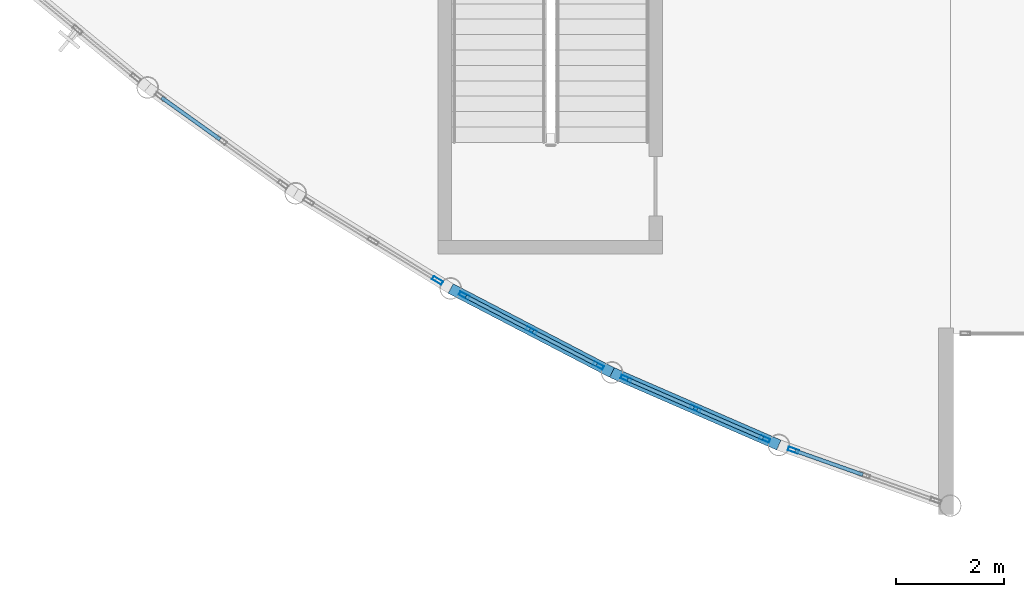
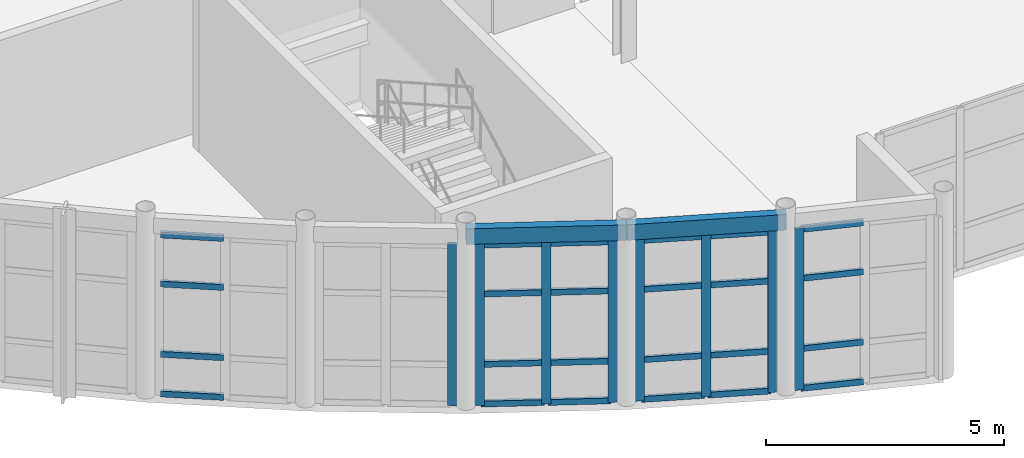
# One storey, part 21 of 116: 32 members, 2 beams, 5 elements without a shape of their own.
"""IFC4 building model written with IfcOpenShell, lengths in metres."""

import ifcopenshell
import ifcopenshell.guid

model = None  # the IFC model being written
_history = None  # IfcOwnerHistory: only IFC2X3 demands one
_inside = {}  # id of a spatial element -> (the spatial element, [elements in it])
_under = {}  # id of a project, library or spatial element -> (it, [spatial elements below it])
_declared = {}  # id of a project -> (the project, [libraries it declares])
_typed = {}  # id of a type object -> (the type object, [elements of that type])
_made_of = {}  # id of a material, layer set ... -> (it, [elements and type objects made of it])


def new_model(schema):
    """Start an empty IFC model of exactly this schema.

    Asked for "IFC4X3", IfcOpenShell would pick the latest addendum, in which some entities
    have other attributes; the version numbers below select the first issue.
    IFC2X3 requires an IfcOwnerHistory on every rooted entity: one is made here for all.
    """
    global model, _history
    if schema == "IFC4X3":
        model = ifcopenshell.file(schema_version=(4, 3, 0, 0))
    else:
        model = ifcopenshell.file(schema=schema)
    _inside.clear()
    _under.clear()
    _declared.clear()
    _typed.clear()
    _made_of.clear()
    _history = None
    if model.schema == "IFC2X3":
        org = make("IfcOrganization", Name="unknown")
        user = make(
            "IfcPersonAndOrganization",
            ThePerson=make("IfcPerson", FamilyName="unknown"),
            TheOrganization=org,
        )
        app = make(
            "IfcApplication",
            ApplicationDeveloper=org,
            Version="unknown",
            ApplicationFullName="unknown",
            ApplicationIdentifier="unknown",
        )
        _history = make(
            "IfcOwnerHistory",
            OwningUser=user,
            OwningApplication=app,
            ChangeAction="ADDED",
            CreationDate=0,
        )
    return model


def make(cls, **values):
    """One entity of the class cls with the attributes given. An attribute that is None is left unset."""
    return model.create_entity(
        cls, **{name: value for name, value in values.items() if value is not None}
    )


def rooted(cls, **values):
    """An entity with a GlobalId (a new one), such as an element, a storey or a relation."""
    return make(cls, GlobalId=ifcopenshell.guid.new(), OwnerHistory=_history, **values)


def si_unit(unit_type, name, prefix=None):
    """IfcSIUnit, for example si_unit("LENGTHUNIT", "METRE", prefix="MILLI")."""
    return make("IfcSIUnit", UnitType=unit_type, Prefix=prefix, Name=name)


def assignment(units):
    """IfcUnitAssignment: the units of a project."""
    return None if units is None else make("IfcUnitAssignment", Units=units)


def point(xyz):
    """IfcCartesianPoint."""
    return None if xyz is None else make("IfcCartesianPoint", Coordinates=xyz)


def direction(xyz):
    """IfcDirection."""
    return None if xyz is None else make("IfcDirection", DirectionRatios=xyz)


def frame(location, z_axis=None, x_axis=None):
    """IfcAxis2Placement3D, a coordinate frame: its origin and axes. An axis left out is left unset."""
    return make(
        "IfcAxis2Placement3D",
        Location=point(location),
        Axis=direction(z_axis),
        RefDirection=direction(x_axis),
    )


def frame_2d(location, x_axis=None):
    """IfcAxis2Placement2D, a coordinate frame in the plane: its origin and x axis."""
    return make(
        "IfcAxis2Placement2D", Location=point(location), RefDirection=direction(x_axis)
    )


def origin():
    """The frame at (0, 0, 0) with its axes left unset."""
    return frame((0.0, 0.0, 0.0))


def origin_2d():
    """The frame at (0, 0) in the plane with its x axis left unset."""
    return frame_2d((0.0, 0.0))


def place(relative_to, where):
    """IfcLocalPlacement: puts the frame where relative to a parent placement (None: the world)."""
    return make(
        "IfcLocalPlacement", PlacementRelTo=relative_to, RelativePlacement=where
    )


def context(
    kind, dimensions, precision=None, world=None, true_north=None, identifier=None
):
    """IfcGeometricRepresentationContext, for example the 3D "Model" context."""
    return make(
        "IfcGeometricRepresentationContext",
        ContextIdentifier=identifier,
        ContextType=kind,
        CoordinateSpaceDimension=dimensions,
        Precision=precision,
        WorldCoordinateSystem=world,
        TrueNorth=true_north,
    )


def subcontext(parent, identifier, kind, view, scale=None):
    """IfcGeometricRepresentationSubContext, for example "Body" below "Model"."""
    return make(
        "IfcGeometricRepresentationSubContext",
        ContextIdentifier=identifier,
        ContextType=kind,
        ParentContext=parent,
        TargetScale=scale,
        TargetView=view,
    )


def project(units=None, contexts=None):
    """IfcProject with its units and contexts."""
    return rooted(
        "IfcProject",
        Name="project",
        RepresentationContexts=contexts,
        UnitsInContext=assignment(units),
    )


def spatial(cls, under=None, at=None, **own):
    """A site, building, storey or space (cls), placed at a placement, below another one or the project."""
    s = rooted(cls, ObjectPlacement=at, **own)
    if under is not None:
        _under.setdefault(under.id(), (under, []))[1].append(s)
    return s


def profile(cls, at=None, kind="AREA", **sizes):
    """A parametric profile (cls). Its sizes go by their IFC names, for example OverallWidth=200.0."""
    return make(cls, ProfileType=kind, Position=at, **sizes)


def hollow_rectangle(**sizes):
    """IfcRectangleHollowProfileDef."""
    return profile("IfcRectangleHollowProfileDef", **sizes)


def extrude(swept, where, along, depth):
    """IfcExtrudedAreaSolid: the profile swept, set in the frame where, extruded along a direction by depth."""
    return make(
        "IfcExtrudedAreaSolid",
        SweptArea=swept,
        Position=where,
        ExtrudedDirection=direction(along),
        Depth=depth,
    )


def shape(context_of_items, identifier, shape_type, items):
    """IfcShapeRepresentation: the items that make up one representation, for example the "Body"."""
    return make(
        "IfcShapeRepresentation",
        ContextOfItems=context_of_items,
        RepresentationIdentifier=identifier,
        RepresentationType=shape_type,
        Items=items,
    )


def material(Name=None, Category=None):
    """IfcMaterial."""
    return make("IfcMaterial", Name=Name, Category=Category)


def layer(
    of_material, thickness, ventilated=None, Name=None, Category=None, Priority=None
):
    """IfcMaterialLayer: one layer of a wall or slab, of a material (None: an air gap)."""
    return make(
        "IfcMaterialLayer",
        Material=of_material,
        LayerThickness=thickness,
        IsVentilated=ventilated,
        Name=Name,
        Category=Category,
        Priority=Priority,
    )


def layer_set(layers, Name=None):
    """IfcMaterialLayerSet."""
    return make("IfcMaterialLayerSet", MaterialLayers=layers, LayerSetName=Name)


def material_profile(
    of_material, cross_section, Name=None, Category=None, Priority=None
):
    """IfcMaterialProfile: a cross section and its material."""
    return make(
        "IfcMaterialProfile",
        Name=Name,
        Material=of_material,
        Profile=cross_section,
        Priority=Priority,
        Category=Category,
    )


def profile_set(profiles, Name=None, composite=None):
    """IfcMaterialProfileSet."""
    return make(
        "IfcMaterialProfileSet",
        Name=Name,
        MaterialProfiles=profiles,
        CompositeProfile=composite,
    )


def made_of(thing, what):
    """Note that an element or type object is made of a material, layer set ...; save() writes the relation."""
    if what is not None:
        _made_of.setdefault(what.id(), (what, []))[1].append(thing)
    return thing


def type_object(cls, material=None, **own):
    """A type object (cls), such as IfcWallType, which elements share."""
    return made_of(rooted(cls, **own), material)


def element(
    cls,
    number,
    at=None,
    inside=None,
    cuts=None,
    type_object=None,
    material=None,
    context=None,
    identifier="Body",
    shape_type=None,
    held_by="IfcProductDefinitionShape",
    body=None,
    shapes=None,
    **own,
):
    """One element of the class cls, such as IfcWall. Its Tag is "e" and its number.

    at: its placement. inside: the storey or other place that contains it. cuts: it is an
    opening in that element (IfcRelVoidsElement). A single representation is given by context,
    identifier, shape_type and body (its items); several are given by shapes. held_by: the class
    of the entity that holds the representations. save() writes the other relations.
    """
    e = rooted(cls, Tag="e%d" % number, ObjectPlacement=at, **own)
    if body is not None:
        shapes = [shape(context, identifier, shape_type, body)]
    if shapes is not None:
        e.Representation = make(held_by, Representations=shapes)
    if inside is not None:
        _inside.setdefault(inside.id(), (inside, []))[1].append(e)
    if cuts is not None:
        rooted(
            "IfcRelVoidsElement", RelatingBuildingElement=cuts, RelatedOpeningElement=e
        )
    if type_object is not None:
        _typed.setdefault(type_object.id(), (type_object, []))[1].append(e)
    return made_of(e, material)


def aggregate(whole, parts):
    """IfcRelAggregates: a whole, such as a stair, and the parts it consists of."""
    return rooted("IfcRelAggregates", RelatingObject=whole, RelatedObjects=parts)


def save(model, path):
    """Write the relations noted so far, then the file.

    IfcRelAggregates (storeys below a building ...), IfcRelContainedInSpatialStructure (elements
    in a storey), IfcRelDefinesByType, IfcRelAssociatesMaterial and IfcRelDeclares: one each for
    every whole, place, type object, material and project.
    """
    for whole, parts in _under.values():
        aggregate(whole, parts)
    for where, things in _inside.values():
        rooted(
            "IfcRelContainedInSpatialStructure",
            RelatedElements=things,
            RelatingStructure=where,
        )
    for kind, things in _typed.values():
        rooted("IfcRelDefinesByType", RelatedObjects=things, RelatingType=kind)
    for what, things in _made_of.values():
        rooted("IfcRelAssociatesMaterial", RelatedObjects=things, RelatingMaterial=what)
    for by, libraries in _declared.values():
        rooted("IfcRelDeclares", RelatingContext=by, RelatedDefinitions=libraries)
    model.write(path)


model = new_model("IFC4")

# Units and contexts
model_context = context("Model", 3, precision=1e-05, world=origin(), true_north=direction((0.0, 1.0)))
body_context = subcontext(model_context, "Body", "Model", "MODEL_VIEW")
ifc_project = project(units=[si_unit("LENGTHUNIT", "METRE"), si_unit("AREAUNIT", "SQUARE_METRE"), si_unit("VOLUMEUNIT", "CUBIC_METRE"), si_unit("PLANEANGLEUNIT", "RADIAN"), si_unit("MASSUNIT", "GRAM", prefix="KILO")], contexts=[model_context])

# Site, building, storey
site_placement = place(None, origin())
site = spatial("IfcSite", under=ifc_project, at=site_placement, CompositionType="ELEMENT")
building_placement = place(site_placement, origin())
building = spatial("IfcBuilding", under=site, at=building_placement, Name="Selat Folded Stagehouse", CompositionType="ELEMENT")
storey_placement = place(building_placement, frame((0.0, 0.0, 5.39990234375)))
storey = spatial("IfcBuildingStorey", under=building, at=storey_placement, Name="L01", CompositionType="ELEMENT", Elevation=5.39990234375)

# Curtain wall, member
ifc_material_1 = material(Name="Aluminium 6063-T6", Category="aluminium")
ifc_layer = layer(ifc_material_1, 0.199951171875)
ifc_layer_set = layer_set([ifc_layer], Name="Aluminium 6063-T6")
curtain_wall_type = type_object("IfcCurtainWallType", Name="CW-DRM-MID", PredefinedType="NOTDEFINED", material=ifc_layer_set)
curtain_wall_1_placement = place(storey_placement, origin())
curtain_wall_1 = element("IfcCurtainWall", 1, at=curtain_wall_1_placement, inside=storey, type_object=curtain_wall_type, Name="L01 curtain wall CW-DRM-L01-16", PredefinedType="NOTDEFINED")
ifc_material_profile_1 = material_profile(ifc_material_1, hollow_rectangle(XDim=0.070068359375, YDim=0.199951171875, WallThickness=0.0048828125, at=origin_2d()), Name="ALU 200x70x5.0")
ifc_profile_set_1 = profile_set([ifc_material_profile_1], Name="Aluminium 6063-T6")
member_type_1 = type_object("IfcMemberType", Name="CWM-MUL-200x70", PredefinedType="MULLION", material=ifc_profile_set_1)
member_1_placement = place(storey_placement, frame((24.102783203125, 6.382080078125, 0.0), z_axis=(0.0, 0.0, 1.0), x_axis=(-0.523025427755, -0.852317078277, 0.0)))
member_1 = element("IfcMember", 2, at=member_1_placement, type_object=member_type_1, Name="CW-02 mullion 1", PredefinedType="MULLION", context=body_context, shape_type="SweptSolid", body=[
    extrude(hollow_rectangle(XDim=0.070068359375, YDim=0.199951171875, WallThickness=0.0048828125, at=origin_2d()), origin(), (0.0, 0.0, 1.0), 4.14013671875),
])
aggregate(curtain_wall_1, [member_1])

# Curtain wall, members
curtain_wall_2_placement = place(storey_placement, origin())
curtain_wall_2 = element("IfcCurtainWall", 3, at=curtain_wall_2_placement, inside=storey, type_object=curtain_wall_type, Name="L01 curtain wall CW-DRM-L01-17", PredefinedType="NOTDEFINED")
member_2_placement = place(storey_placement, frame((27.0810546875, 4.808349609375, 0.0), z_axis=(0.0, 0.0, 1.0), x_axis=(-0.461930991659, -0.886915869147, 0.0)))
member_2 = element("IfcMember", 4, at=member_2_placement, type_object=member_type_1, Name="CW-02 mullion 1", PredefinedType="MULLION", context=body_context, shape_type="SweptSolid", body=[
    extrude(hollow_rectangle(XDim=0.070068359375, YDim=0.199951171875, WallThickness=0.0048828125, at=origin_2d()), origin(), (0.0, 0.0, 1.0), 4.14013671875),
])
member_3_placement = place(storey_placement, frame((25.83984375, 5.454833984375, 0.0), z_axis=(0.0, 0.0, 1.0), x_axis=(-0.461930991659, -0.886915869147, 0.0)))
member_3 = element("IfcMember", 5, at=member_3_placement, type_object=member_type_1, Name="CW-02 mullion 2", PredefinedType="MULLION", context=body_context, shape_type="SweptSolid", body=[
    extrude(hollow_rectangle(XDim=0.070068359375, YDim=0.199951171875, WallThickness=0.0048828125, at=origin_2d()), origin(), (0.0, 0.0, 1.0), 4.14013671875),
])
member_4_placement = place(storey_placement, frame((24.5986328125, 6.101318359375, 0.0), z_axis=(0.0, 0.0, 1.0), x_axis=(-0.461930991659, -0.886915869147, 0.0)))
member_4 = element("IfcMember", 6, at=member_4_placement, type_object=member_type_1, Name="CW-02 mullion 3", PredefinedType="MULLION", context=body_context, shape_type="SweptSolid", body=[
    extrude(hollow_rectangle(XDim=0.070068359375, YDim=0.199951171875, WallThickness=0.0048828125, at=origin_2d()), origin(), (0.0, 0.0, 1.0), 4.14013671875),
])

curtain_wall_3_placement = place(storey_placement, origin())
curtain_wall_3 = element("IfcCurtainWall", 7, at=curtain_wall_3_placement, inside=storey, type_object=curtain_wall_type, Name="L01 curtain wall CW-DRM-L01-18", PredefinedType="NOTDEFINED")
member_5_placement = place(storey_placement, frame((30.162109375, 3.447509765625, 0.0), z_axis=(0.0, 0.0, 1.0), x_axis=(-0.39857953336, -0.917133771915, 0.0)))
member_5 = element("IfcMember", 8, at=member_5_placement, type_object=member_type_1, Name="CW-02 mullion 1", PredefinedType="MULLION", context=body_context, shape_type="SweptSolid", body=[
    extrude(hollow_rectangle(XDim=0.070068359375, YDim=0.199951171875, WallThickness=0.0048828125, at=origin_2d()), origin(), (0.0, 0.0, 1.0), 4.14013671875),
])
member_6_placement = place(storey_placement, frame((28.878662109375, 4.00537109375, 0.0), z_axis=(0.0, 0.0, 1.0), x_axis=(-0.39857953336, -0.917133771915, 0.0)))
member_6 = element("IfcMember", 9, at=member_6_placement, type_object=member_type_1, Name="CW-02 mullion 2", PredefinedType="MULLION", context=body_context, shape_type="SweptSolid", body=[
    extrude(hollow_rectangle(XDim=0.070068359375, YDim=0.199951171875, WallThickness=0.0048828125, at=origin_2d()), origin(), (0.0, 0.0, 1.0), 4.14013671875),
])
member_7_placement = place(storey_placement, frame((27.59521484375, 4.56298828125, 0.0), z_axis=(0.0, 0.0, 1.0), x_axis=(-0.39857953336, -0.917133771915, 0.0)))
member_7 = element("IfcMember", 10, at=member_7_placement, type_object=member_type_1, Name="CW-02 mullion 3", PredefinedType="MULLION", context=body_context, shape_type="SweptSolid", body=[
    extrude(hollow_rectangle(XDim=0.070068359375, YDim=0.199951171875, WallThickness=0.0048828125, at=origin_2d()), origin(), (0.0, 0.0, 1.0), 4.14013671875),
])

# Curtain wall, member
curtain_wall_4_placement = place(storey_placement, origin())
curtain_wall_4 = element("IfcCurtainWall", 11, at=curtain_wall_4_placement, inside=storey, type_object=curtain_wall_type, Name="L01 curtain wall CW-DRM-L01-19", PredefinedType="NOTDEFINED")
member_8_placement = place(storey_placement, frame((30.6923828125, 3.23876953125, 0.0), z_axis=(0.0, 0.0, 1.0), x_axis=(-0.333314148838, -0.942815824106, 0.0)))
member_8 = element("IfcMember", 12, at=member_8_placement, type_object=member_type_1, Name="CW-02 mullion 3", PredefinedType="MULLION", context=body_context, shape_type="SweptSolid", body=[
    extrude(hollow_rectangle(XDim=0.070068359375, YDim=0.199951171875, WallThickness=0.0048828125, at=origin_2d()), origin(), (0.0, 0.0, 1.0), 4.14013671875),
])

# Curtain wall, members
curtain_wall_5_placement = place(storey_placement, origin())
curtain_wall_5 = element("IfcCurtainWall", 13, at=curtain_wall_5_placement, inside=storey, type_object=curtain_wall_type, Name="L01 curtain wall CW-DRM-L01-15", PredefinedType="NOTDEFINED")
ifc_material_profile_2 = material_profile(ifc_material_1, hollow_rectangle(XDim=0.070068359375, YDim=0.14990234375, WallThickness=0.00390625, at=origin_2d()), Name="ALU 150x70x4.0")
ifc_profile_set_2 = profile_set([ifc_material_profile_2], Name="Aluminium 6063-T6")
member_type_2 = type_object("IfcMemberType", Name="CWM-TRN-150x70", PredefinedType="USERDEFINED", material=ifc_profile_set_2)
member_9_placement = place(storey_placement, frame((20.075439453125, 8.9951171875, 0.03515625), z_axis=(-0.813497658202, 0.581568190412, 0.0), x_axis=(-0.581568190412, -0.813497658202, 0.0)))
member_9 = element("IfcMember", 14, at=member_9_placement, type_object=member_type_2, Name="CW-02 transom 2.1", ObjectType="TRANSOM", PredefinedType="USERDEFINED", context=body_context, shape_type="SweptSolid", body=[
    extrude(hollow_rectangle(XDim=0.070068359375, YDim=0.14990234375, WallThickness=0.00390625, at=origin_2d()), origin(), (0.0, 0.0, 1.0), 1.32958984375),
])
member_10_placement = place(storey_placement, frame((20.075439453125, 8.9951171875, 1.050048828125), z_axis=(-0.813497658202, 0.581568190412, 0.0), x_axis=(-0.581568190412, -0.813497658202, 0.0)))
member_10 = element("IfcMember", 15, at=member_10_placement, type_object=member_type_2, Name="CW-02 transom 2.2", ObjectType="TRANSOM", PredefinedType="USERDEFINED", context=body_context, shape_type="SweptSolid", body=[
    extrude(hollow_rectangle(XDim=0.070068359375, YDim=0.14990234375, WallThickness=0.00390625, at=origin_2d()), origin(), (0.0, 0.0, 1.0), 1.32958984375),
])
member_11_placement = place(storey_placement, frame((20.075439453125, 8.9951171875, 2.85009765625), z_axis=(-0.813497658202, 0.581568190412, 0.0), x_axis=(-0.581568190412, -0.813497658202, 0.0)))
member_11 = element("IfcMember", 16, at=member_11_placement, type_object=member_type_2, Name="CW-02 transom 2.3", ObjectType="TRANSOM", PredefinedType="USERDEFINED", context=body_context, shape_type="SweptSolid", body=[
    extrude(hollow_rectangle(XDim=0.070068359375, YDim=0.14990234375, WallThickness=0.00390625, at=origin_2d()), origin(), (0.0, 0.0, 1.0), 1.32958984375),
])
member_12_placement = place(storey_placement, frame((20.075439453125, 8.9951171875, 4.10498046875), z_axis=(-0.813497658202, 0.581568190412, 0.0), x_axis=(-0.581568190412, -0.813497658202, 0.0)))
member_12 = element("IfcMember", 17, at=member_12_placement, type_object=member_type_2, Name="CW-02 transom 2.4", ObjectType="TRANSOM", PredefinedType="USERDEFINED", context=body_context, shape_type="SweptSolid", body=[
    extrude(hollow_rectangle(XDim=0.070068359375, YDim=0.14990234375, WallThickness=0.00390625, at=origin_2d()), origin(), (0.0, 0.0, 1.0), 1.32958984375),
])
aggregate(curtain_wall_5, [member_9, member_10, member_11, member_12])

# Member
member_13_placement = place(storey_placement, frame((27.050048828125, 4.824462890625, 0.03515625), z_axis=(-0.88688587182, 0.461988582505, 0.0), x_axis=(-0.461988582505, -0.88688587182, 0.0)))
member_13 = element("IfcMember", 18, at=member_13_placement, type_object=member_type_2, Name="CW-02 transom 1.1", ObjectType="TRANSOM", PredefinedType="USERDEFINED", context=body_context, shape_type="SweptSolid", body=[
    extrude(hollow_rectangle(XDim=0.070068359375, YDim=0.14990234375, WallThickness=0.00390625, at=origin_2d()), origin(), (0.0, 0.0, 1.0), 1.32958984375),
])

member_14_placement = place(storey_placement, frame((27.050048828125, 4.824462890625, 1.050048828125), z_axis=(-0.88688587182, 0.461988582505, 0.0), x_axis=(-0.461988582505, -0.88688587182, 0.0)))
member_14 = element("IfcMember", 19, at=member_14_placement, type_object=member_type_2, Name="CW-02 transom 1.2", ObjectType="TRANSOM", PredefinedType="USERDEFINED", context=body_context, shape_type="SweptSolid", body=[
    extrude(hollow_rectangle(XDim=0.070068359375, YDim=0.14990234375, WallThickness=0.00390625, at=origin_2d()), origin(), (0.0, 0.0, 1.0), 1.32958984375),
])

member_15_placement = place(storey_placement, frame((27.050048828125, 4.824462890625, 2.85009765625), z_axis=(-0.88688587182, 0.461988582505, 0.0), x_axis=(-0.461988582505, -0.88688587182, 0.0)))
member_15 = element("IfcMember", 20, at=member_15_placement, type_object=member_type_2, Name="CW-02 transom 1.3", ObjectType="TRANSOM", PredefinedType="USERDEFINED", context=body_context, shape_type="SweptSolid", body=[
    extrude(hollow_rectangle(XDim=0.070068359375, YDim=0.14990234375, WallThickness=0.00390625, at=origin_2d()), origin(), (0.0, 0.0, 1.0), 1.32958984375),
])

member_16_placement = place(storey_placement, frame((27.050048828125, 4.824462890625, 4.10498046875), z_axis=(-0.88688587182, 0.461988582505, 0.0), x_axis=(-0.461988582505, -0.88688587182, 0.0)))
member_16 = element("IfcMember", 21, at=member_16_placement, type_object=member_type_2, Name="CW-02 transom 1.4", ObjectType="TRANSOM", PredefinedType="USERDEFINED", context=body_context, shape_type="SweptSolid", body=[
    extrude(hollow_rectangle(XDim=0.070068359375, YDim=0.14990234375, WallThickness=0.00390625, at=origin_2d()), origin(), (0.0, 0.0, 1.0), 1.32958984375),
])

member_17_placement = place(storey_placement, frame((25.808837890625, 5.470947265625, 0.03515625), z_axis=(-0.88688587182, 0.461988582505, 0.0), x_axis=(-0.461988582505, -0.88688587182, 0.0)))
member_17 = element("IfcMember", 22, at=member_17_placement, type_object=member_type_2, Name="CW-02 transom 2.1", ObjectType="TRANSOM", PredefinedType="USERDEFINED", context=body_context, shape_type="SweptSolid", body=[
    extrude(hollow_rectangle(XDim=0.070068359375, YDim=0.14990234375, WallThickness=0.00390625, at=origin_2d()), origin(), (0.0, 0.0, 1.0), 1.32958984375),
])

member_18_placement = place(storey_placement, frame((25.808837890625, 5.470947265625, 1.050048828125), z_axis=(-0.88688587182, 0.461988582505, 0.0), x_axis=(-0.461988582505, -0.88688587182, 0.0)))
member_18 = element("IfcMember", 23, at=member_18_placement, type_object=member_type_2, Name="CW-02 transom 2.2", ObjectType="TRANSOM", PredefinedType="USERDEFINED", context=body_context, shape_type="SweptSolid", body=[
    extrude(hollow_rectangle(XDim=0.070068359375, YDim=0.14990234375, WallThickness=0.00390625, at=origin_2d()), origin(), (0.0, 0.0, 1.0), 1.32958984375),
])

member_19_placement = place(storey_placement, frame((25.808837890625, 5.470947265625, 2.85009765625), z_axis=(-0.88688587182, 0.461988582505, 0.0), x_axis=(-0.461988582505, -0.88688587182, 0.0)))
member_19 = element("IfcMember", 24, at=member_19_placement, type_object=member_type_2, Name="CW-02 transom 2.3", ObjectType="TRANSOM", PredefinedType="USERDEFINED", context=body_context, shape_type="SweptSolid", body=[
    extrude(hollow_rectangle(XDim=0.070068359375, YDim=0.14990234375, WallThickness=0.00390625, at=origin_2d()), origin(), (0.0, 0.0, 1.0), 1.32958984375),
])

member_20_placement = place(storey_placement, frame((25.808837890625, 5.470947265625, 4.10498046875), z_axis=(-0.88688587182, 0.461988582505, 0.0), x_axis=(-0.461988582505, -0.88688587182, 0.0)))
member_20 = element("IfcMember", 25, at=member_20_placement, type_object=member_type_2, Name="CW-02 transom 2.4", ObjectType="TRANSOM", PredefinedType="USERDEFINED", context=body_context, shape_type="SweptSolid", body=[
    extrude(hollow_rectangle(XDim=0.070068359375, YDim=0.14990234375, WallThickness=0.00390625, at=origin_2d()), origin(), (0.0, 0.0, 1.0), 1.32958984375),
])

aggregate(curtain_wall_2, [member_2, member_3, member_4, member_13, member_14, member_15, member_16, member_17, member_18, member_19, member_20])

member_21_placement = place(storey_placement, frame((30.130126953125, 3.46142578125, 0.03515625), z_axis=(-0.917157626449, 0.398524639446, 0.0), x_axis=(-0.398524639446, -0.917157626449, 0.0)))
member_21 = element("IfcMember", 26, at=member_21_placement, type_object=member_type_2, Name="CW-02 transom 1.1", ObjectType="TRANSOM", PredefinedType="USERDEFINED", context=body_context, shape_type="SweptSolid", body=[
    extrude(hollow_rectangle(XDim=0.070068359375, YDim=0.14990234375, WallThickness=0.00390625, at=origin_2d()), origin(), (0.0, 0.0, 1.0), 1.329345703125),
])

member_22_placement = place(storey_placement, frame((30.130126953125, 3.46142578125, 1.050048828125), z_axis=(-0.917157626449, 0.398524639446, 0.0), x_axis=(-0.398524639446, -0.917157626449, 0.0)))
member_22 = element("IfcMember", 27, at=member_22_placement, type_object=member_type_2, Name="CW-02 transom 1.2", ObjectType="TRANSOM", PredefinedType="USERDEFINED", context=body_context, shape_type="SweptSolid", body=[
    extrude(hollow_rectangle(XDim=0.070068359375, YDim=0.14990234375, WallThickness=0.00390625, at=origin_2d()), origin(), (0.0, 0.0, 1.0), 1.329345703125),
])

member_23_placement = place(storey_placement, frame((30.130126953125, 3.46142578125, 2.85009765625), z_axis=(-0.917157626449, 0.398524639446, 0.0), x_axis=(-0.398524639446, -0.917157626449, 0.0)))
member_23 = element("IfcMember", 28, at=member_23_placement, type_object=member_type_2, Name="CW-02 transom 1.3", ObjectType="TRANSOM", PredefinedType="USERDEFINED", context=body_context, shape_type="SweptSolid", body=[
    extrude(hollow_rectangle(XDim=0.070068359375, YDim=0.14990234375, WallThickness=0.00390625, at=origin_2d()), origin(), (0.0, 0.0, 1.0), 1.329345703125),
])

member_24_placement = place(storey_placement, frame((30.130126953125, 3.46142578125, 4.10498046875), z_axis=(-0.917157626449, 0.398524639446, 0.0), x_axis=(-0.398524639446, -0.917157626449, 0.0)))
member_24 = element("IfcMember", 29, at=member_24_placement, type_object=member_type_2, Name="CW-02 transom 1.4", ObjectType="TRANSOM", PredefinedType="USERDEFINED", context=body_context, shape_type="SweptSolid", body=[
    extrude(hollow_rectangle(XDim=0.070068359375, YDim=0.14990234375, WallThickness=0.00390625, at=origin_2d()), origin(), (0.0, 0.0, 1.0), 1.329345703125),
])

member_25_placement = place(storey_placement, frame((28.8466796875, 4.019287109375, 0.03515625), z_axis=(-0.917186787024, 0.398457523092, 0.0), x_axis=(-0.398457523092, -0.917186787024, 0.0)))
member_25 = element("IfcMember", 30, at=member_25_placement, type_object=member_type_2, Name="CW-02 transom 2.1", ObjectType="TRANSOM", PredefinedType="USERDEFINED", context=body_context, shape_type="SweptSolid", body=[
    extrude(hollow_rectangle(XDim=0.070068359375, YDim=0.14990234375, WallThickness=0.00390625, at=origin_2d()), origin(), (0.0, 0.0, 1.0), 1.32958984375),
])

member_26_placement = place(storey_placement, frame((28.8466796875, 4.019287109375, 1.050048828125), z_axis=(-0.917186787024, 0.398457523092, 0.0), x_axis=(-0.398457523092, -0.917186787024, 0.0)))
member_26 = element("IfcMember", 31, at=member_26_placement, type_object=member_type_2, Name="CW-02 transom 2.2", ObjectType="TRANSOM", PredefinedType="USERDEFINED", context=body_context, shape_type="SweptSolid", body=[
    extrude(hollow_rectangle(XDim=0.070068359375, YDim=0.14990234375, WallThickness=0.00390625, at=origin_2d()), origin(), (0.0, 0.0, 1.0), 1.32958984375),
])

member_27_placement = place(storey_placement, frame((28.8466796875, 4.019287109375, 2.85009765625), z_axis=(-0.917186787024, 0.398457523092, 0.0), x_axis=(-0.398457523092, -0.917186787024, 0.0)))
member_27 = element("IfcMember", 32, at=member_27_placement, type_object=member_type_2, Name="CW-02 transom 2.3", ObjectType="TRANSOM", PredefinedType="USERDEFINED", context=body_context, shape_type="SweptSolid", body=[
    extrude(hollow_rectangle(XDim=0.070068359375, YDim=0.14990234375, WallThickness=0.00390625, at=origin_2d()), origin(), (0.0, 0.0, 1.0), 1.32958984375),
])

member_28_placement = place(storey_placement, frame((28.8466796875, 4.019287109375, 4.10498046875), z_axis=(-0.917186787024, 0.398457523092, 0.0), x_axis=(-0.398457523092, -0.917186787024, 0.0)))
member_28 = element("IfcMember", 33, at=member_28_placement, type_object=member_type_2, Name="CW-02 transom 2.4", ObjectType="TRANSOM", PredefinedType="USERDEFINED", context=body_context, shape_type="SweptSolid", body=[
    extrude(hollow_rectangle(XDim=0.070068359375, YDim=0.14990234375, WallThickness=0.00390625, at=origin_2d()), origin(), (0.0, 0.0, 1.0), 1.32958984375),
])

aggregate(curtain_wall_3, [member_5, member_6, member_7, member_21, member_22, member_23, member_24, member_25, member_26, member_27, member_28])

member_29_placement = place(storey_placement, frame((31.978759765625, 2.783935546875, 0.03515625), z_axis=(-0.942817300454, 0.333309972794, 0.0), x_axis=(-0.333309972794, -0.942817300454, 0.0)))
member_29 = element("IfcMember", 34, at=member_29_placement, type_object=member_type_2, Name="CW-02 transom 2.1", ObjectType="TRANSOM", PredefinedType="USERDEFINED", context=body_context, shape_type="SweptSolid", body=[
    extrude(hollow_rectangle(XDim=0.070068359375, YDim=0.14990234375, WallThickness=0.00390625, at=origin_2d()), origin(), (0.0, 0.0, 1.0), 1.329345703125),
])

member_30_placement = place(storey_placement, frame((31.978759765625, 2.783935546875, 1.050048828125), z_axis=(-0.942817300454, 0.333309972794, 0.0), x_axis=(-0.333309972794, -0.942817300454, 0.0)))
member_30 = element("IfcMember", 35, at=member_30_placement, type_object=member_type_2, Name="CW-02 transom 2.2", ObjectType="TRANSOM", PredefinedType="USERDEFINED", context=body_context, shape_type="SweptSolid", body=[
    extrude(hollow_rectangle(XDim=0.070068359375, YDim=0.14990234375, WallThickness=0.00390625, at=origin_2d()), origin(), (0.0, 0.0, 1.0), 1.329345703125),
])

member_31_placement = place(storey_placement, frame((31.978759765625, 2.783935546875, 2.85009765625), z_axis=(-0.942817300454, 0.333309972794, 0.0), x_axis=(-0.333309972794, -0.942817300454, 0.0)))
member_31 = element("IfcMember", 36, at=member_31_placement, type_object=member_type_2, Name="CW-02 transom 2.3", ObjectType="TRANSOM", PredefinedType="USERDEFINED", context=body_context, shape_type="SweptSolid", body=[
    extrude(hollow_rectangle(XDim=0.070068359375, YDim=0.14990234375, WallThickness=0.00390625, at=origin_2d()), origin(), (0.0, 0.0, 1.0), 1.329345703125),
])

member_32_placement = place(storey_placement, frame((31.978759765625, 2.783935546875, 4.10498046875), z_axis=(-0.942817300454, 0.333309972794, 0.0), x_axis=(-0.333309972794, -0.942817300454, 0.0)))
member_32 = element("IfcMember", 37, at=member_32_placement, type_object=member_type_2, Name="CW-02 transom 2.4", ObjectType="TRANSOM", PredefinedType="USERDEFINED", context=body_context, shape_type="SweptSolid", body=[
    extrude(hollow_rectangle(XDim=0.070068359375, YDim=0.14990234375, WallThickness=0.00390625, at=origin_2d()), origin(), (0.0, 0.0, 1.0), 1.329345703125),
])

aggregate(curtain_wall_4, [member_8, member_29, member_30, member_31, member_32])

# Beams
ifc_material_2 = material(Name="Steel S355", Category="steel")
ifc_material_profile_3 = material_profile(ifc_material_2, hollow_rectangle(XDim=0.199951171875, YDim=0.39990234375, WallThickness=0.012451171875, at=origin_2d()), Name="RHS 400x200x12.5")
ifc_profile_set_3 = profile_set([ifc_material_profile_3], Name="Steel S355")
beam_type = type_object("IfcBeamType", Name="SPD-EXT-400x200", PredefinedType="SPANDREL", material=ifc_profile_set_3)
beam_1_placement = place(storey_placement, frame((24.345703125, 6.23291015625, 4.380126953125), z_axis=(0.886928310017, -0.461907104179, 0.0), x_axis=(0.461907104179, 0.886928310017, 0.0)))
element("IfcBeam", 38, at=beam_1_placement, inside=storey, type_object=beam_type, Name="L01 curved drum spandrel beam 18", PredefinedType="SPANDREL", context=body_context, shape_type="SweptSolid", body=[
    extrude(hollow_rectangle(XDim=0.199951171875, YDim=0.39990234375, WallThickness=0.012451171875, at=origin_2d()), origin(), (0.0, 0.0, 1.0), 3.368896484375),
])
beam_2_placement = place(storey_placement, frame((27.333740234375, 4.6767578125, 4.380126953125), z_axis=(0.91711267728, -0.39862806872, 0.0), x_axis=(0.39862806872, 0.91711267728, 0.0)))
element("IfcBeam", 39, at=beam_2_placement, inside=storey, type_object=beam_type, Name="L01 curved drum spandrel beam 19", PredefinedType="SPANDREL", context=body_context, shape_type="SweptSolid", body=[
    extrude(hollow_rectangle(XDim=0.199951171875, YDim=0.39990234375, WallThickness=0.012451171875, at=origin_2d()), origin(), (0.0, 0.0, 1.0), 3.369140625),
])

save(model, "model.ifc")
